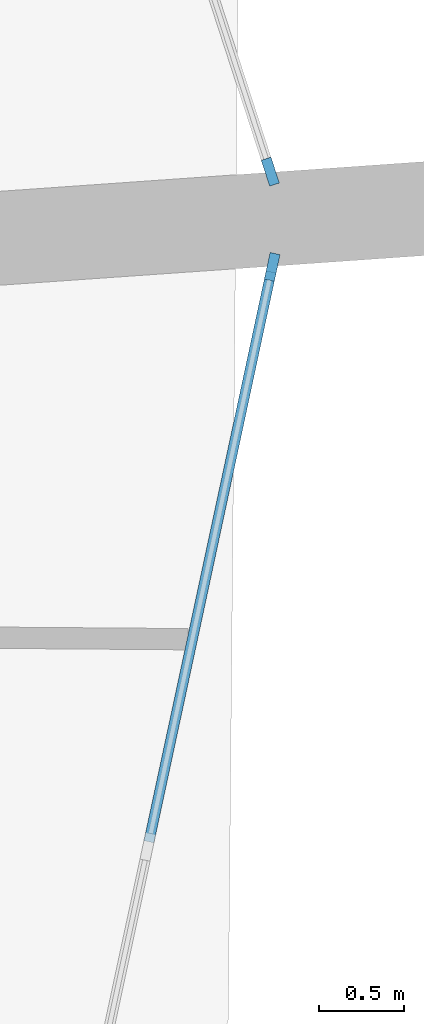
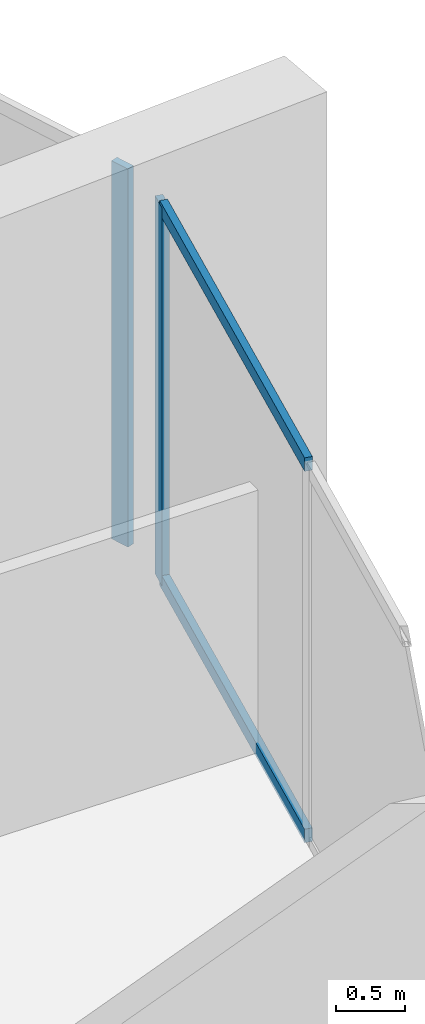
# One storey, part 16 of 31: 4 members, 2 elements without a shape of their own.
"""IFC4 building model written with IfcOpenShell, lengths in metres."""

from ifc_helpers import new_model, si_unit, direction, frame, origin, origin_2d, place, context, subcontext, project, spatial, rectangle, extrude, material, layer, layer_set, material_profile, profile_set, type_object, element, aggregate, save


model = new_model("IFC4")

# Units and contexts
model_context = context("Model", 3, precision=1e-05, world=origin(), true_north=direction((0.0, 1.0)))
body_context = subcontext(model_context, "Body", "Model", "MODEL_VIEW")
ifc_project = project(units=[si_unit("LENGTHUNIT", "METRE"), si_unit("AREAUNIT", "SQUARE_METRE"), si_unit("VOLUMEUNIT", "CUBIC_METRE"), si_unit("PLANEANGLEUNIT", "RADIAN"), si_unit("MASSUNIT", "GRAM", prefix="KILO")], contexts=[model_context])

# Site, building, storey
site_placement = place(None, origin())
site = spatial("IfcSite", under=ifc_project, at=site_placement, CompositionType="ELEMENT")
building_placement = place(site_placement, origin())
building = spatial("IfcBuilding", under=site, at=building_placement, Name="Kazma Halo Residences", CompositionType="ELEMENT")
storey_placement = place(building_placement, frame((0.0, 0.0, 71.39990234375)))
storey = spatial("IfcBuildingStorey", under=building, at=storey_placement, Name="L17", CompositionType="ELEMENT", Elevation=71.39990234375)

# Curtain wall, member
ifc_material_1 = material(Name="Aluminium AW-6063 T6 and Triple-Silver Low-E Glass", Category="aluminium")
ifc_layer = layer(ifc_material_1, 0.159912109375)
ifc_layer_set = layer_set([ifc_layer], Name="Aluminium AW-6063 T6 and Triple-Silver Low-E Glass")
curtain_wall_type = type_object("IfcCurtainWallType", Name="CW-SYS-2", PredefinedType="NOTDEFINED", material=ifc_layer_set)
curtain_wall_1_placement = place(storey_placement, origin())
curtain_wall_1 = element("IfcCurtainWall", 1, at=curtain_wall_1_placement, inside=storey, type_object=curtain_wall_type, Name="L17 unitised curtain wall B15", PredefinedType="NOTDEFINED")
ifc_material_2 = material(Name="Aluminium AW-6063 T6", Category="aluminium")
ifc_material_profile_1 = material_profile(ifc_material_2, rectangle(XDim=0.06005859375, YDim=0.159912109375, at=origin_2d()), Name="CWM-60x160")
ifc_profile_set_1 = profile_set([ifc_material_profile_1], Name="Aluminium AW-6063 T6")
member_type_1 = type_object("IfcMemberType", Name="CW-SYS-2-MUL", PredefinedType="MULLION", material=ifc_profile_set_1)
member_1_placement = place(storey_placement, frame((79.74951171875, 43.940673828125, 0.0), z_axis=(0.0, 0.0, 1.0), x_axis=(-0.977779215096, 0.209637321406, 0.0)))
member_1 = element("IfcMember", 2, at=member_1_placement, type_object=member_type_1, Name="CWS-2 mullion 4", PredefinedType="MULLION", context=body_context, shape_type="SweptSolid", body=[
    extrude(rectangle(XDim=0.06005859375, YDim=0.159912109375, at=origin_2d()), origin(), (0.0, 0.0, 1.0), 3.35009765625),
])

curtain_wall_2_placement = place(storey_placement, origin())
curtain_wall_2 = element("IfcCurtainWall", 3, at=curtain_wall_2_placement, inside=storey, type_object=curtain_wall_type, Name="L17 unitised curtain wall B16", PredefinedType="NOTDEFINED")
member_2_placement = place(storey_placement, frame((79.73828125, 44.499267578125, 0.0), z_axis=(0.0, 0.0, 1.0), x_axis=(-0.95105652404, -0.309016970539, 0.0)))
member_2 = element("IfcMember", 4, at=member_2_placement, type_object=member_type_1, Name="CWS-2 mullion 1", PredefinedType="MULLION", context=body_context, shape_type="SweptSolid", body=[
    extrude(rectangle(XDim=0.06005859375, YDim=0.159912109375, at=origin_2d()), origin(), (0.0, 0.0, 1.0), 3.35009765625),
])
aggregate(curtain_wall_2, [member_2])

# Member
ifc_material_profile_2 = material_profile(ifc_material_2, rectangle(XDim=0.06005859375, YDim=0.1201171875, at=origin_2d()), Name="CWT-60x120")
ifc_profile_set_2 = profile_set([ifc_material_profile_2], Name="Aluminium AW-6063 T6")
member_type_2 = type_object("IfcMemberType", Name="CW-SYS-2-TRN", PredefinedType="USERDEFINED", material=ifc_profile_set_2)
member_3_placement = place(storey_placement, frame((79.025634765625, 40.565185546875, 0.030029296875), z_axis=(0.209665500897, 0.977773172946, 0.0), x_axis=(-0.977773172946, 0.209665500897, 0.0)))
member_3 = element("IfcMember", 5, at=member_3_placement, type_object=member_type_2, Name="CWS-2 transom 3.1", ObjectType="TRANSOM", PredefinedType="USERDEFINED", context=body_context, shape_type="SweptSolid", body=[
    extrude(rectangle(XDim=0.06005859375, YDim=0.1201171875, at=origin_2d()), origin(), (0.0, 0.0, 1.0), 3.42236328125),
])

member_4_placement = place(storey_placement, frame((79.025634765625, 40.565185546875, 3.320068359375), z_axis=(0.209665500897, 0.977773172946, 0.0), x_axis=(-0.977773172946, 0.209665500897, 0.0)))
member_4 = element("IfcMember", 6, at=member_4_placement, type_object=member_type_2, Name="CWS-2 transom 3.2", ObjectType="TRANSOM", PredefinedType="USERDEFINED", context=body_context, shape_type="SweptSolid", body=[
    extrude(rectangle(XDim=0.06005859375, YDim=0.1201171875, at=origin_2d()), origin(), (0.0, 0.0, 1.0), 3.42236328125),
])

aggregate(curtain_wall_1, [member_1, member_3, member_4])

save(model, "model.ifc")
